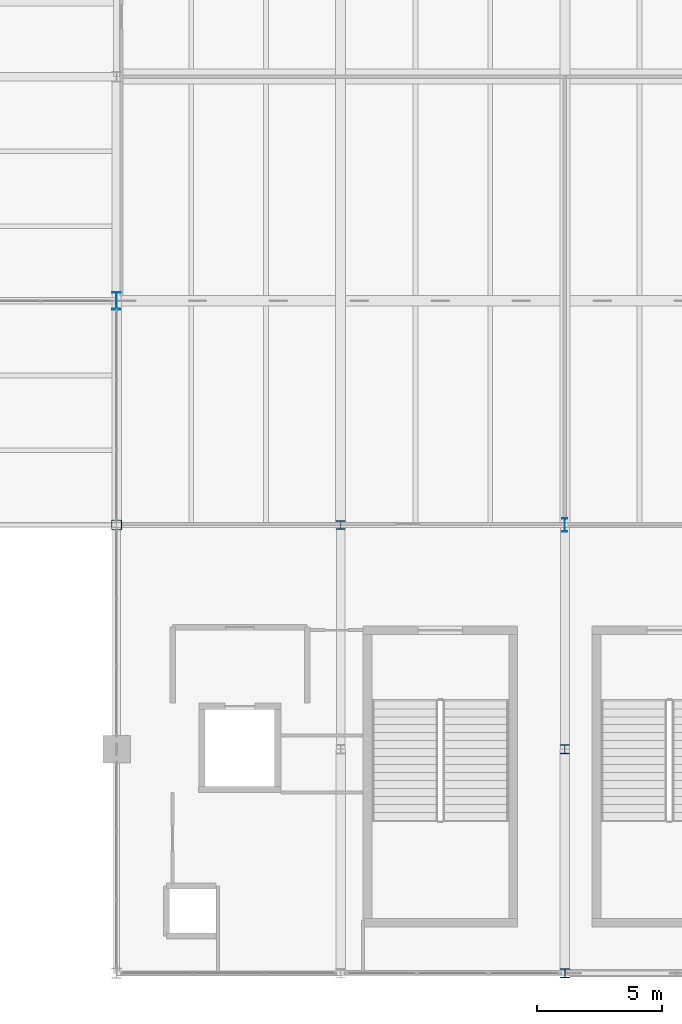
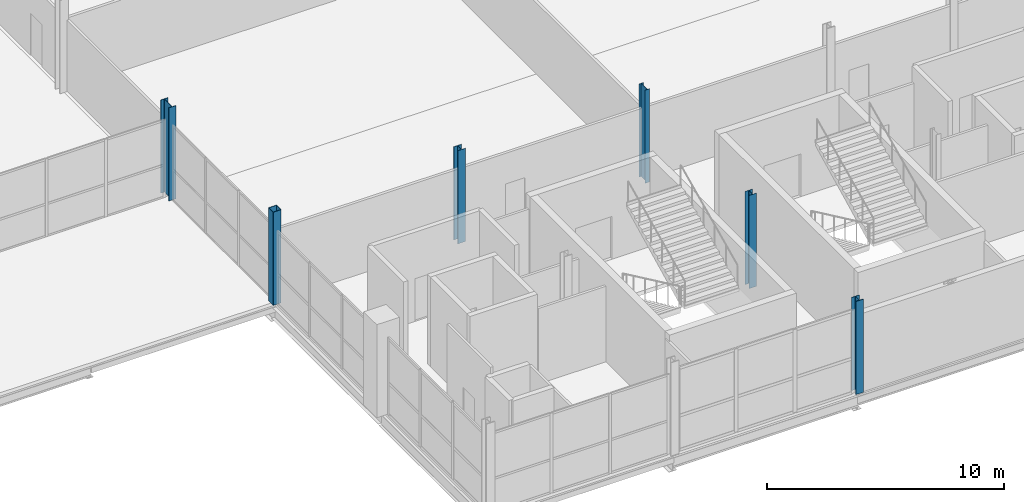
# One storey, part 2 of 69: 6 columns.
"""IFC4 building model written with IfcOpenShell, lengths in metres."""

from ifc_helpers import new_model, si_unit, direction, frame, origin, origin_2d, place, context, subcontext, project, spatial, hollow_rectangle, i_section, extrude, material, material_profile, profile_set, type_object, element, save


model = new_model("IFC4")

# Units and contexts
model_context = context("Model", 3, precision=1e-05, world=origin(), true_north=direction((0.0, 1.0)))
body_context = subcontext(model_context, "Body", "Model", "MODEL_VIEW")
ifc_project = project(units=[si_unit("LENGTHUNIT", "METRE"), si_unit("AREAUNIT", "SQUARE_METRE"), si_unit("VOLUMEUNIT", "CUBIC_METRE"), si_unit("PLANEANGLEUNIT", "RADIAN"), si_unit("MASSUNIT", "GRAM", prefix="KILO")], contexts=[model_context])

# Site, building, storey
site_placement = place(None, origin())
site = spatial("IfcSite", under=ifc_project, at=site_placement, CompositionType="ELEMENT")
building_placement = place(site_placement, origin())
building = spatial("IfcBuilding", under=site, at=building_placement, Name="Qamarlyn Nura Convention Centre", CompositionType="ELEMENT")
storey_placement = place(building_placement, frame((0.0, 0.0, 15.60009765625)))
storey = spatial("IfcBuildingStorey", under=building, at=storey_placement, Name="L03", CompositionType="ELEMENT", Elevation=15.60009765625)

# Columns
ifc_material_1 = material(Name="Steel ASTM A500 Grade C", Category="steel")
ifc_material_profile_1 = material_profile(ifc_material_1, hollow_rectangle(XDim=0.39990234375, YDim=0.39990234375, WallThickness=0.01611328125, InnerFilletRadius=0.01611328125, OuterFilletRadius=0.031982421875, at=origin_2d()), Name="HSS400X400X16")
ifc_profile_set_1 = profile_set([ifc_material_profile_1], Name="Steel ASTM A500 Grade C")
column_type_1 = type_object("IfcColumnType", Name="COL-HSS-1", PredefinedType="COLUMN", material=ifc_profile_set_1)
column_1_placement = place(storey_placement, frame((153.0, 18.0, 0.0), z_axis=(0.0, 0.0, 1.0), x_axis=(1.0, 0.0, 0.0)))
element("IfcColumn", 1, at=column_1_placement, inside=storey, type_object=column_type_1, Name="L03 column 13/C", PredefinedType="COLUMN", context=body_context, shape_type="SweptSolid", body=[
    extrude(hollow_rectangle(XDim=0.39990234375, YDim=0.39990234375, WallThickness=0.01611328125, InnerFilletRadius=0.01611328125, OuterFilletRadius=0.031982421875, at=origin_2d()), origin(), (0.0, 0.0, 1.0), 4.7998046875),
])
ifc_material_2 = material(Name="Steel ASTM A992", Category="steel")
ifc_material_profile_2 = material_profile(ifc_material_2, i_section(OverallWidth=0.3740234375, OverallDepth=0.3720703125, WebThickness=0.016357421875, FlangeThickness=0.026123046875, FilletRadius=0.01611328125, at=origin_2d()), Name="W360X196")
ifc_profile_set_2 = profile_set([ifc_material_profile_2], Name="Steel ASTM A992")
column_type_2 = type_object("IfcColumnType", Name="COL-WING-2", PredefinedType="COLUMN", material=ifc_profile_set_2)
column_2_placement = place(storey_placement, frame((171.0, 0.0, 0.0), z_axis=(0.0, 0.0, 1.0), x_axis=(1.0, 0.0, 0.0)))
element("IfcColumn", 2, at=column_2_placement, inside=storey, type_object=column_type_2, Name="L03 column 15/A", PredefinedType="COLUMN", context=body_context, shape_type="SweptSolid", body=[
    extrude(i_section(OverallWidth=0.3740234375, OverallDepth=0.3720703125, WebThickness=0.016357421875, FlangeThickness=0.026123046875, FilletRadius=0.01611328125, at=origin_2d()), origin(), (0.0, 0.0, 1.0), 4.7998046875),
])
ifc_material_profile_3 = material_profile(ifc_material_2, i_section(OverallWidth=0.368896484375, OverallDepth=0.35595703125, WebThickness=0.01123046875, FlangeThickness=0.01806640625, FilletRadius=0.014892578125, at=origin_2d()), Name="W360X134")
ifc_profile_set_3 = profile_set([ifc_material_profile_3], Name="Steel ASTM A992")
column_type_3 = type_object("IfcColumnType", Name="COL-WING-3", PredefinedType="COLUMN", material=ifc_profile_set_3)
for number, where, z_axis, x_axis, name in (
    (3, (162.0, 18.0, 0.0), (0.0, 0.0, 1.0), (1.0, 0.0, 0.0), "L03 column 14/C"),
    (4, (171.0, 9.0, 0.0), (0.0, 0.0, 1.0), (1.0, 0.0, 0.0), "L03 column 15/B"),
):
    element("IfcColumn", number, at=place(storey_placement, frame(where, z_axis=z_axis, x_axis=x_axis)), inside=storey, type_object=column_type_3, Name=name, PredefinedType="COLUMN", context=body_context, shape_type="SweptSolid", body=[
        extrude(i_section(OverallWidth=0.368896484375, OverallDepth=0.35595703125, WebThickness=0.01123046875, FlangeThickness=0.01806640625, FilletRadius=0.014892578125, at=origin_2d()), origin(), (0.0, 0.0, 1.0), 4.7998046875),
    ])
ifc_material_profile_4 = material_profile(ifc_material_2, i_section(OverallWidth=0.35498046875, OverallDepth=0.695068359375, WebThickness=0.015380859375, FlangeThickness=0.02490234375, FilletRadius=0.01806640625, at=origin_2d()), Name="W690X217")
ifc_profile_set_4 = profile_set([ifc_material_profile_4], Name="Steel ASTM A992")
column_type_4 = type_object("IfcColumnType", Name="COL-WING-5", PredefinedType="COLUMN", material=ifc_profile_set_4)
column_3_placement = place(storey_placement, frame((153.0, 27.0, 0.0), z_axis=(0.0, 0.0, 1.0), x_axis=(1.0, 0.0, 0.0)))
element("IfcColumn", 5, at=column_3_placement, inside=storey, type_object=column_type_4, Name="L03 column 13/D", PredefinedType="COLUMN", context=body_context, shape_type="SweptSolid", body=[
    extrude(i_section(OverallWidth=0.35498046875, OverallDepth=0.695068359375, WebThickness=0.015380859375, FlangeThickness=0.02490234375, FilletRadius=0.01806640625, at=origin_2d()), origin(), (0.0, 0.0, 1.0), 4.7998046875),
])
ifc_material_profile_5 = material_profile(ifc_material_2, i_section(OverallWidth=0.2109375, OverallDepth=0.5390625, WebThickness=0.01171875, FlangeThickness=0.018798828125, FilletRadius=0.013916015625, at=origin_2d()), Name="W530X109")
ifc_profile_set_5 = profile_set([ifc_material_profile_5], Name="Steel ASTM A992")
column_type_5 = type_object("IfcColumnType", Name="COL-WING-7", PredefinedType="COLUMN", material=ifc_profile_set_5)
column_4_placement = place(storey_placement, frame((171.0, 18.0, 0.0), z_axis=(0.0, 0.0, 1.0), x_axis=(1.0, 0.0, 0.0)))
element("IfcColumn", 6, at=column_4_placement, inside=storey, type_object=column_type_5, Name="L03 column 15/C", PredefinedType="COLUMN", context=body_context, shape_type="SweptSolid", body=[
    extrude(i_section(OverallWidth=0.2109375, OverallDepth=0.5390625, WebThickness=0.01171875, FlangeThickness=0.018798828125, FilletRadius=0.013916015625, at=origin_2d()), origin(), (0.0, 0.0, 1.0), 4.7998046875),
])

save(model, "model.ifc")
